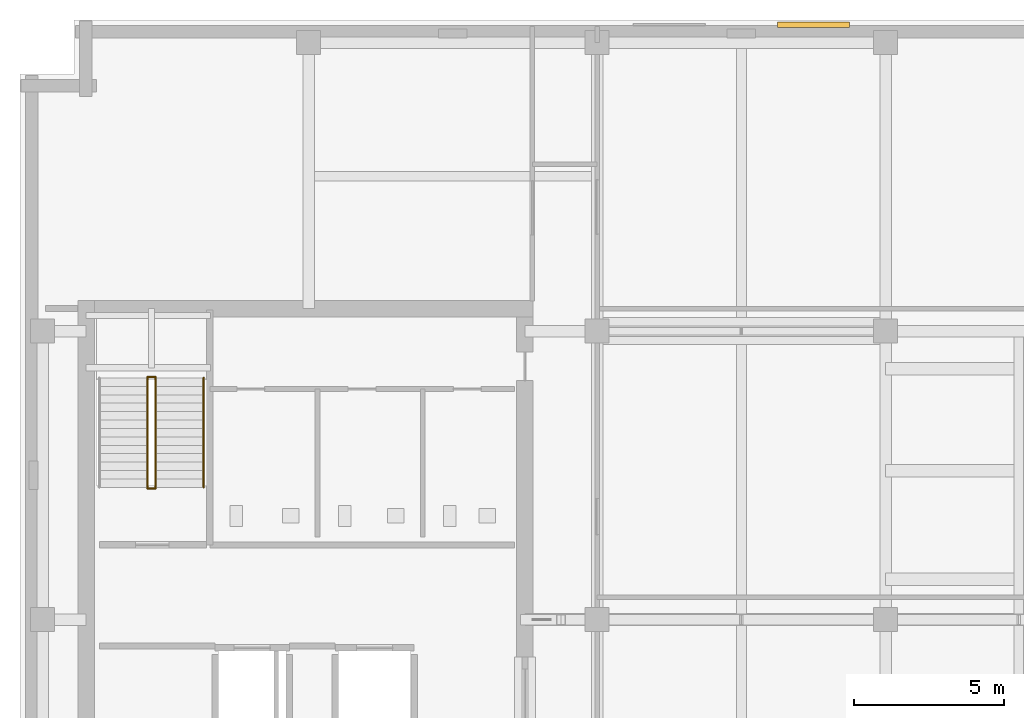
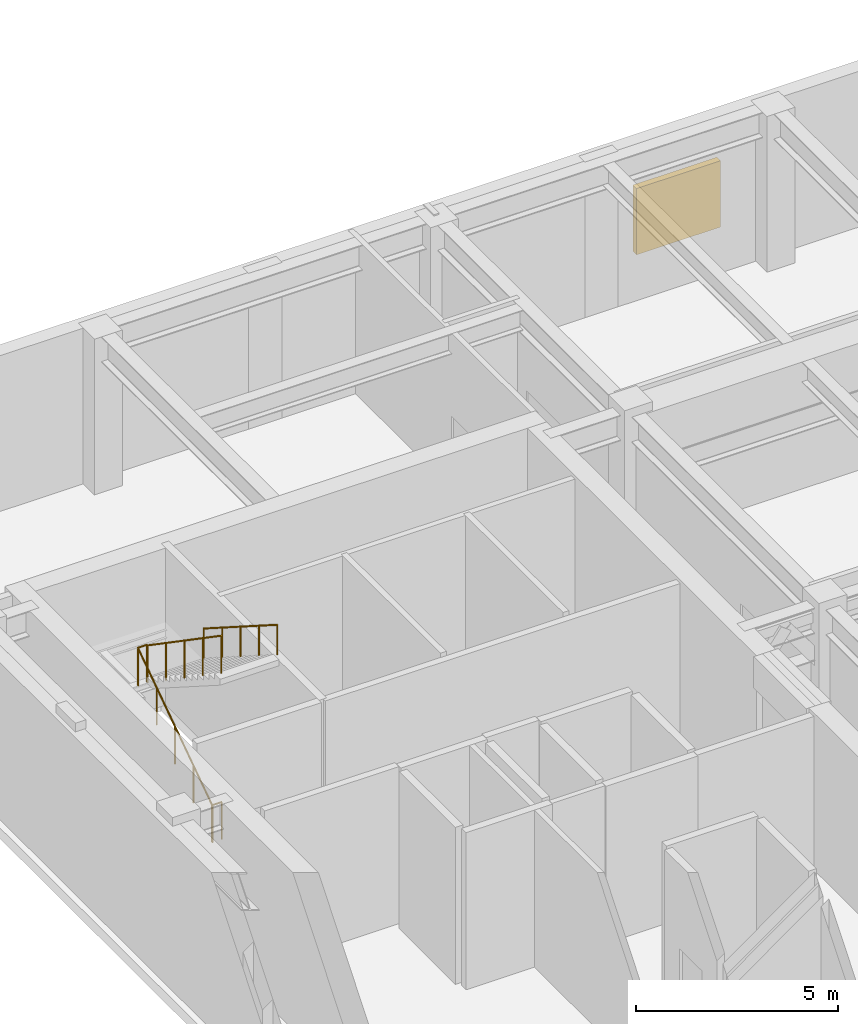
# One storey, part 18 of 19: 5 railings, 1 shading device.
"""IFC4 building model written with IfcOpenShell, lengths in metres."""

import ifcopenshell
import ifcopenshell.guid

model = None  # the IFC model being written
_history = None  # IfcOwnerHistory: only IFC2X3 demands one
_inside = {}  # id of a spatial element -> (the spatial element, [elements in it])
_under = {}  # id of a project, library or spatial element -> (it, [spatial elements below it])
_declared = {}  # id of a project -> (the project, [libraries it declares])
_typed = {}  # id of a type object -> (the type object, [elements of that type])
_made_of = {}  # id of a material, layer set ... -> (it, [elements and type objects made of it])


def new_model(schema):
    """Start an empty IFC model of exactly this schema.

    Asked for "IFC4X3", IfcOpenShell would pick the latest addendum, in which some entities
    have other attributes; the version numbers below select the first issue.
    IFC2X3 requires an IfcOwnerHistory on every rooted entity: one is made here for all.
    """
    global model, _history
    if schema == "IFC4X3":
        model = ifcopenshell.file(schema_version=(4, 3, 0, 0))
    else:
        model = ifcopenshell.file(schema=schema)
    _inside.clear()
    _under.clear()
    _declared.clear()
    _typed.clear()
    _made_of.clear()
    _history = None
    if model.schema == "IFC2X3":
        org = make("IfcOrganization", Name="unknown")
        user = make(
            "IfcPersonAndOrganization",
            ThePerson=make("IfcPerson", FamilyName="unknown"),
            TheOrganization=org,
        )
        app = make(
            "IfcApplication",
            ApplicationDeveloper=org,
            Version="unknown",
            ApplicationFullName="unknown",
            ApplicationIdentifier="unknown",
        )
        _history = make(
            "IfcOwnerHistory",
            OwningUser=user,
            OwningApplication=app,
            ChangeAction="ADDED",
            CreationDate=0,
        )
    return model


def make(cls, **values):
    """One entity of the class cls with the attributes given. An attribute that is None is left unset."""
    return model.create_entity(
        cls, **{name: value for name, value in values.items() if value is not None}
    )


def rooted(cls, **values):
    """An entity with a GlobalId (a new one), such as an element, a storey or a relation."""
    return make(cls, GlobalId=ifcopenshell.guid.new(), OwnerHistory=_history, **values)


def si_unit(unit_type, name, prefix=None):
    """IfcSIUnit, for example si_unit("LENGTHUNIT", "METRE", prefix="MILLI")."""
    return make("IfcSIUnit", UnitType=unit_type, Prefix=prefix, Name=name)


def assignment(units):
    """IfcUnitAssignment: the units of a project."""
    return None if units is None else make("IfcUnitAssignment", Units=units)


def point(xyz):
    """IfcCartesianPoint."""
    return None if xyz is None else make("IfcCartesianPoint", Coordinates=xyz)


def direction(xyz):
    """IfcDirection."""
    return None if xyz is None else make("IfcDirection", DirectionRatios=xyz)


def frame(location, z_axis=None, x_axis=None):
    """IfcAxis2Placement3D, a coordinate frame: its origin and axes. An axis left out is left unset."""
    return make(
        "IfcAxis2Placement3D",
        Location=point(location),
        Axis=direction(z_axis),
        RefDirection=direction(x_axis),
    )


def frame_2d(location, x_axis=None):
    """IfcAxis2Placement2D, a coordinate frame in the plane: its origin and x axis."""
    return make(
        "IfcAxis2Placement2D", Location=point(location), RefDirection=direction(x_axis)
    )


def origin():
    """The frame at (0, 0, 0) with its axes left unset."""
    return frame((0.0, 0.0, 0.0))


def origin_2d():
    """The frame at (0, 0) in the plane with its x axis left unset."""
    return frame_2d((0.0, 0.0))


def place(relative_to, where):
    """IfcLocalPlacement: puts the frame where relative to a parent placement (None: the world)."""
    return make(
        "IfcLocalPlacement", PlacementRelTo=relative_to, RelativePlacement=where
    )


def context(
    kind, dimensions, precision=None, world=None, true_north=None, identifier=None
):
    """IfcGeometricRepresentationContext, for example the 3D "Model" context."""
    return make(
        "IfcGeometricRepresentationContext",
        ContextIdentifier=identifier,
        ContextType=kind,
        CoordinateSpaceDimension=dimensions,
        Precision=precision,
        WorldCoordinateSystem=world,
        TrueNorth=true_north,
    )


def subcontext(parent, identifier, kind, view, scale=None):
    """IfcGeometricRepresentationSubContext, for example "Body" below "Model"."""
    return make(
        "IfcGeometricRepresentationSubContext",
        ContextIdentifier=identifier,
        ContextType=kind,
        ParentContext=parent,
        TargetScale=scale,
        TargetView=view,
    )


def project(units=None, contexts=None):
    """IfcProject with its units and contexts."""
    return rooted(
        "IfcProject",
        Name="project",
        RepresentationContexts=contexts,
        UnitsInContext=assignment(units),
    )


def spatial(cls, under=None, at=None, **own):
    """A site, building, storey or space (cls), placed at a placement, below another one or the project."""
    s = rooted(cls, ObjectPlacement=at, **own)
    if under is not None:
        _under.setdefault(under.id(), (under, []))[1].append(s)
    return s


def profile(cls, at=None, kind="AREA", **sizes):
    """A parametric profile (cls). Its sizes go by their IFC names, for example OverallWidth=200.0."""
    return make(cls, ProfileType=kind, Position=at, **sizes)


def rectangle(**sizes):
    """IfcRectangleProfileDef."""
    return profile("IfcRectangleProfileDef", **sizes)


def circle(**sizes):
    """IfcCircleProfileDef."""
    return profile("IfcCircleProfileDef", **sizes)


def extrude(swept, where, along, depth):
    """IfcExtrudedAreaSolid: the profile swept, set in the frame where, extruded along a direction by depth."""
    return make(
        "IfcExtrudedAreaSolid",
        SweptArea=swept,
        Position=where,
        ExtrudedDirection=direction(along),
        Depth=depth,
    )


def shape(context_of_items, identifier, shape_type, items):
    """IfcShapeRepresentation: the items that make up one representation, for example the "Body"."""
    return make(
        "IfcShapeRepresentation",
        ContextOfItems=context_of_items,
        RepresentationIdentifier=identifier,
        RepresentationType=shape_type,
        Items=items,
    )


def material(Name=None, Category=None):
    """IfcMaterial."""
    return make("IfcMaterial", Name=Name, Category=Category)


def layer(
    of_material, thickness, ventilated=None, Name=None, Category=None, Priority=None
):
    """IfcMaterialLayer: one layer of a wall or slab, of a material (None: an air gap)."""
    return make(
        "IfcMaterialLayer",
        Material=of_material,
        LayerThickness=thickness,
        IsVentilated=ventilated,
        Name=Name,
        Category=Category,
        Priority=Priority,
    )


def layer_set(layers, Name=None):
    """IfcMaterialLayerSet."""
    return make("IfcMaterialLayerSet", MaterialLayers=layers, LayerSetName=Name)


def made_of(thing, what):
    """Note that an element or type object is made of a material, layer set ...; save() writes the relation."""
    if what is not None:
        _made_of.setdefault(what.id(), (what, []))[1].append(thing)
    return thing


def type_object(cls, material=None, **own):
    """A type object (cls), such as IfcWallType, which elements share."""
    return made_of(rooted(cls, **own), material)


def element(
    cls,
    number,
    at=None,
    inside=None,
    cuts=None,
    type_object=None,
    material=None,
    context=None,
    identifier="Body",
    shape_type=None,
    held_by="IfcProductDefinitionShape",
    body=None,
    shapes=None,
    **own,
):
    """One element of the class cls, such as IfcWall. Its Tag is "e" and its number.

    at: its placement. inside: the storey or other place that contains it. cuts: it is an
    opening in that element (IfcRelVoidsElement). A single representation is given by context,
    identifier, shape_type and body (its items); several are given by shapes. held_by: the class
    of the entity that holds the representations. save() writes the other relations.
    """
    e = rooted(cls, Tag="e%d" % number, ObjectPlacement=at, **own)
    if body is not None:
        shapes = [shape(context, identifier, shape_type, body)]
    if shapes is not None:
        e.Representation = make(held_by, Representations=shapes)
    if inside is not None:
        _inside.setdefault(inside.id(), (inside, []))[1].append(e)
    if cuts is not None:
        rooted(
            "IfcRelVoidsElement", RelatingBuildingElement=cuts, RelatedOpeningElement=e
        )
    if type_object is not None:
        _typed.setdefault(type_object.id(), (type_object, []))[1].append(e)
    return made_of(e, material)


def aggregate(whole, parts):
    """IfcRelAggregates: a whole, such as a stair, and the parts it consists of."""
    return rooted("IfcRelAggregates", RelatingObject=whole, RelatedObjects=parts)


def save(model, path):
    """Write the relations noted so far, then the file.

    IfcRelAggregates (storeys below a building ...), IfcRelContainedInSpatialStructure (elements
    in a storey), IfcRelDefinesByType, IfcRelAssociatesMaterial and IfcRelDeclares: one each for
    every whole, place, type object, material and project.
    """
    for whole, parts in _under.values():
        aggregate(whole, parts)
    for where, things in _inside.values():
        rooted(
            "IfcRelContainedInSpatialStructure",
            RelatedElements=things,
            RelatingStructure=where,
        )
    for kind, things in _typed.values():
        rooted("IfcRelDefinesByType", RelatedObjects=things, RelatingType=kind)
    for what, things in _made_of.values():
        rooted("IfcRelAssociatesMaterial", RelatedObjects=things, RelatingMaterial=what)
    for by, libraries in _declared.values():
        rooted("IfcRelDeclares", RelatingContext=by, RelatedDefinitions=libraries)
    model.write(path)


model = new_model("IFC4")

# Units and contexts
model_context = context("Model", 3, precision=1e-05, world=origin(), true_north=direction((0.0, 1.0)))
body_context = subcontext(model_context, "Body", "Model", "MODEL_VIEW")
ifc_project = project(units=[si_unit("LENGTHUNIT", "METRE"), si_unit("AREAUNIT", "SQUARE_METRE"), si_unit("VOLUMEUNIT", "CUBIC_METRE"), si_unit("PLANEANGLEUNIT", "RADIAN"), si_unit("MASSUNIT", "GRAM", prefix="KILO")], contexts=[model_context])

# Site, building, storey
site_placement = place(None, origin())
site = spatial("IfcSite", under=ifc_project, at=site_placement, CompositionType="ELEMENT")
building_placement = place(site_placement, origin())
building = spatial("IfcBuilding", under=site, at=building_placement, Name="Norrvale University Quadrangle", CompositionType="ELEMENT")
storey_placement = place(building_placement, frame((0.0, 0.0, 256.0)))
storey = spatial("IfcBuildingStorey", under=building, at=storey_placement, Name="L65", CompositionType="ELEMENT", Elevation=256.0)

# Railings
ifc_material_1 = material(Name="Steel 350W Painted Balustrade", Category="steel")
railing_type_1 = type_object("IfcRailingType", Name="Railing Stair Guard 1100", PredefinedType="GUARDRAIL", material=ifc_material_1)
for number, where, name in (
    (1, (4.239990234375, 42.02001953125, 0.0), "Stair Floor Well Guard ST-02 L65"),
    (2, (4.239990234375, 45.719970703125, 2.5), "Stair Mid-Landing Slot Guard ST-02 L65"),
):
    element("IfcRailing", number, at=place(storey_placement, frame(where)), inside=storey, type_object=railing_type_1, Name=name, PredefinedType="GUARDRAIL", context=body_context, shape_type="SweptSolid", body=[
        extrude(circle(Radius=0.02392578125, at=origin_2d()), frame((0.0, 0.0, 1.1259765625), z_axis=(1.0, 0.0, 0.0), x_axis=(0.0, 1.0, 0.0)), (0.0, 0.0, 1.0), 0.27001953125),
        extrude(circle(Radius=0.02099609375, at=origin_2d()), origin(), (0.0, 0.0, 1.0), 1.101806640625),
        extrude(circle(Radius=0.02099609375, at=origin_2d()), frame((0.27001953125, 0.0, 0.0)), (0.0, 0.0, 1.0), 1.101806640625),
    ])
railing_1_placement = place(storey_placement, frame((4.239990234375, 42.050048828125, 0.0)))
element("IfcRailing", 3, at=railing_1_placement, inside=storey, type_object=railing_type_1, Name="Stair Lower Flight Inner Guard ST-02 L65", PredefinedType="GUARDRAIL", context=body_context, shape_type="SweptSolid", body=[
    extrude(circle(Radius=0.02392578125, at=origin_2d()), frame((0.0, 0.0, 1.1259765625), z_axis=(0.0, 0.824298337968, 0.566155676491), x_axis=(-1.0, 0.0, 0.0)), (0.0, 0.0, 1.0), 4.415771484375),
    extrude(circle(Radius=0.02099609375, at=origin_2d()), origin(), (0.0, 0.0, 1.0), 1.101806640625),
    extrude(circle(Radius=0.02099609375, at=origin_2d()), frame((0.0, 0.909912109375, 0.625)), (0.0, 0.0, 1.0), 1.101806640625),
    extrude(circle(Radius=0.02099609375, at=origin_2d()), frame((0.0, 1.81982421875, 1.25)), (0.0, 0.0, 1.0), 1.101806640625),
    extrude(circle(Radius=0.02099609375, at=origin_2d()), frame((0.0, 2.72998046875, 1.875)), (0.0, 0.0, 1.0), 1.101806640625),
    extrude(circle(Radius=0.02099609375, at=origin_2d()), frame((0.0, 3.639892578125, 2.5)), (0.0, 0.0, 1.0), 1.101806640625),
])
railing_2_placement = place(storey_placement, frame((4.510009765625, 45.68994140625, 2.5)))
element("IfcRailing", 4, at=railing_2_placement, inside=storey, type_object=railing_type_1, Name="Stair Upper Flight Inner Guard ST-02 L65", PredefinedType="GUARDRAIL", context=body_context, shape_type="SweptSolid", body=[
    extrude(circle(Radius=0.02392578125, at=origin_2d()), frame((0.0, 0.0, 1.1259765625), z_axis=(0.0, -0.824298337968, 0.566155676491), x_axis=(1.0, 0.0, 0.0)), (0.0, 0.0, 1.0), 4.415771484375),
    extrude(circle(Radius=0.02099609375, at=origin_2d()), origin(), (0.0, 0.0, 1.0), 1.101806640625),
    extrude(circle(Radius=0.02099609375, at=origin_2d()), frame((0.0, -0.909912109375, 0.625)), (0.0, 0.0, 1.0), 1.101806640625),
    extrude(circle(Radius=0.02099609375, at=origin_2d()), frame((0.0, -1.81982421875, 1.25)), (0.0, 0.0, 1.0), 1.101806640625),
    extrude(circle(Radius=0.02099609375, at=origin_2d()), frame((0.0, -2.72998046875, 1.875)), (0.0, 0.0, 1.0), 1.101806640625),
    extrude(circle(Radius=0.02099609375, at=origin_2d()), frame((0.0, -3.639892578125, 2.5)), (0.0, 0.0, 1.0), 1.101806640625),
])
ifc_material_2 = material(Name="Stainless Steel 316L Handrail", Category="steel")
railing_type_2 = type_object("IfcRailingType", Name="Railing Stair Handrail 920", PredefinedType="HANDRAIL", material=ifc_material_2)
railing_3_placement = place(storey_placement, frame((6.110107421875, 45.68994140625, 2.6787109375)))
element("IfcRailing", 5, at=railing_3_placement, inside=storey, type_object=railing_type_2, Name="Stair Upper Flight Handrail ST-02 L65", PredefinedType="HANDRAIL", context=body_context, shape_type="SweptSolid", body=[
    extrude(circle(Radius=0.02392578125, at=origin_2d()), frame((0.0, 0.0, 0.89599609375), z_axis=(0.0, -0.843137146238, 0.537698570422), x_axis=(1.0, 0.0, 0.0)), (0.0, 0.0, 1.0), 4.317138671875),
    extrude(circle(Radius=0.02099609375, at=origin_2d()), origin(), (0.0, 0.0, 1.0), 0.871826171875),
    extrude(circle(Radius=0.02099609375, at=origin_2d()), frame((0.0, -0.909912109375, 0.580322265625)), (0.0, 0.0, 1.0), 0.871826171875),
    extrude(circle(Radius=0.02099609375, at=origin_2d()), frame((0.0, -1.81982421875, 1.16064453125)), (0.0, 0.0, 1.0), 0.871826171875),
    extrude(circle(Radius=0.02099609375, at=origin_2d()), frame((0.0, -2.72998046875, 1.740966796875)), (0.0, 0.0, 1.0), 0.871826171875),
    extrude(circle(Radius=0.02099609375, at=origin_2d()), frame((0.0, -3.639892578125, 2.3212890625)), (0.0, 0.0, 1.0), 0.871826171875),
])

# Shading device
ifc_material_3 = material(Name="Anodized Aluminium 6063-T6", Category="aluminium")
ifc_layer = layer(ifc_material_3, 0.179931640625, Name="Anodized Aluminium 6063-T6")
ifc_layer_set = layer_set([ifc_layer], Name="Anodized Aluminium 6063-T6")
shading_device_type = type_object("IfcShadingDeviceType", Name="Shade Louvre 180", PredefinedType="JALOUSIE", material=ifc_layer_set)
shading_device_placement = place(storey_placement, frame((26.39990234375, 57.43994140625, 1.10009765625), z_axis=(0.0, 0.0, 1.0), x_axis=(-1.0, 0.0, 0.0)))
element("IfcShadingDevice", 6, at=shading_device_placement, inside=storey, type_object=shading_device_type, Name="Plant Intake Weather Louvre 019", PredefinedType="JALOUSIE", context=body_context, shape_type="SweptSolid", body=[
    extrude(rectangle(XDim=2.39990234375, YDim=0.179931640625, at=origin_2d()), origin(), (0.0, 0.0, 1.0), 2.0),
])

save(model, "model.ifc")
